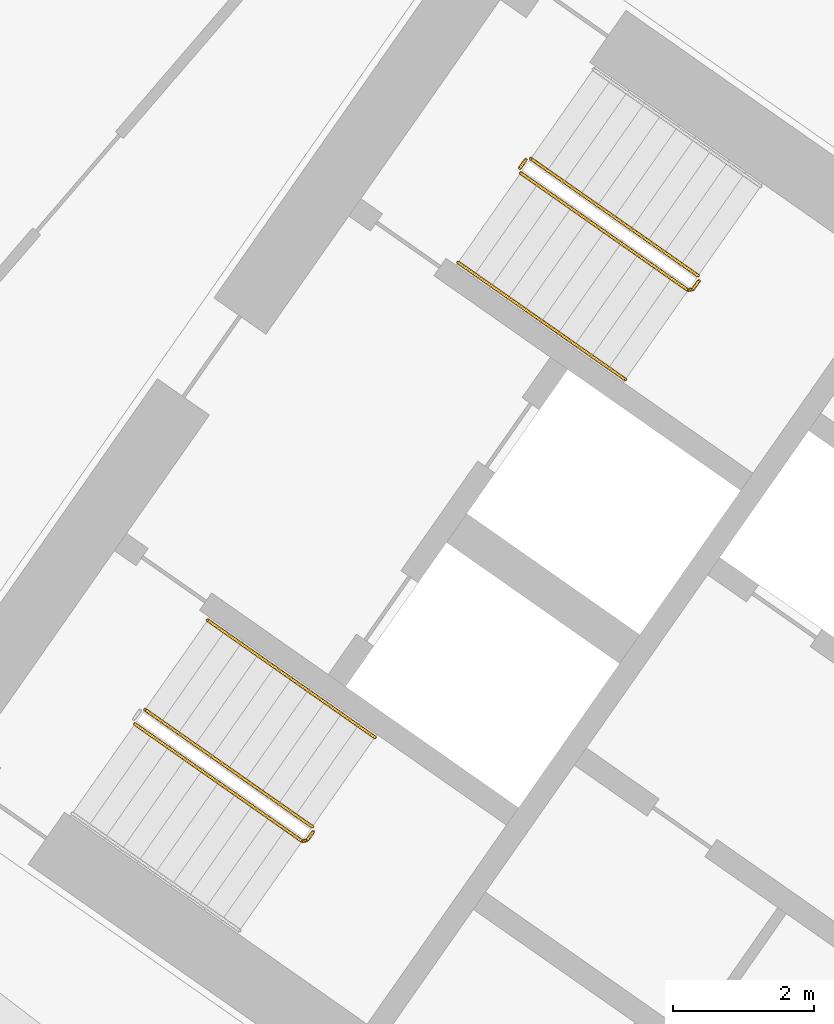
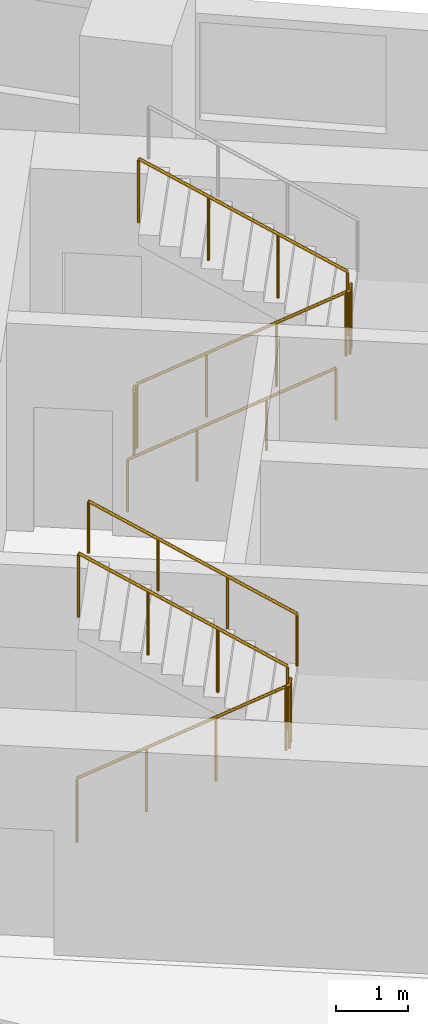
# One storey, part 26 of 31: 7 railings.
"""IFC4 building model written with IfcOpenShell, lengths in metres."""

import ifcopenshell
import ifcopenshell.guid

model = None  # the IFC model being written
_history = None  # IfcOwnerHistory: only IFC2X3 demands one
_inside = {}  # id of a spatial element -> (the spatial element, [elements in it])
_under = {}  # id of a project, library or spatial element -> (it, [spatial elements below it])
_declared = {}  # id of a project -> (the project, [libraries it declares])
_typed = {}  # id of a type object -> (the type object, [elements of that type])
_made_of = {}  # id of a material, layer set ... -> (it, [elements and type objects made of it])


def new_model(schema):
    """Start an empty IFC model of exactly this schema.

    Asked for "IFC4X3", IfcOpenShell would pick the latest addendum, in which some entities
    have other attributes; the version numbers below select the first issue.
    IFC2X3 requires an IfcOwnerHistory on every rooted entity: one is made here for all.
    """
    global model, _history
    if schema == "IFC4X3":
        model = ifcopenshell.file(schema_version=(4, 3, 0, 0))
    else:
        model = ifcopenshell.file(schema=schema)
    _inside.clear()
    _under.clear()
    _declared.clear()
    _typed.clear()
    _made_of.clear()
    _history = None
    if model.schema == "IFC2X3":
        org = make("IfcOrganization", Name="unknown")
        user = make(
            "IfcPersonAndOrganization",
            ThePerson=make("IfcPerson", FamilyName="unknown"),
            TheOrganization=org,
        )
        app = make(
            "IfcApplication",
            ApplicationDeveloper=org,
            Version="unknown",
            ApplicationFullName="unknown",
            ApplicationIdentifier="unknown",
        )
        _history = make(
            "IfcOwnerHistory",
            OwningUser=user,
            OwningApplication=app,
            ChangeAction="ADDED",
            CreationDate=0,
        )
    return model


def make(cls, **values):
    """One entity of the class cls with the attributes given. An attribute that is None is left unset."""
    return model.create_entity(
        cls, **{name: value for name, value in values.items() if value is not None}
    )


def rooted(cls, **values):
    """An entity with a GlobalId (a new one), such as an element, a storey or a relation."""
    return make(cls, GlobalId=ifcopenshell.guid.new(), OwnerHistory=_history, **values)


def si_unit(unit_type, name, prefix=None):
    """IfcSIUnit, for example si_unit("LENGTHUNIT", "METRE", prefix="MILLI")."""
    return make("IfcSIUnit", UnitType=unit_type, Prefix=prefix, Name=name)


def assignment(units):
    """IfcUnitAssignment: the units of a project."""
    return None if units is None else make("IfcUnitAssignment", Units=units)


def point(xyz):
    """IfcCartesianPoint."""
    return None if xyz is None else make("IfcCartesianPoint", Coordinates=xyz)


def direction(xyz):
    """IfcDirection."""
    return None if xyz is None else make("IfcDirection", DirectionRatios=xyz)


def frame(location, z_axis=None, x_axis=None):
    """IfcAxis2Placement3D, a coordinate frame: its origin and axes. An axis left out is left unset."""
    return make(
        "IfcAxis2Placement3D",
        Location=point(location),
        Axis=direction(z_axis),
        RefDirection=direction(x_axis),
    )


def frame_2d(location, x_axis=None):
    """IfcAxis2Placement2D, a coordinate frame in the plane: its origin and x axis."""
    return make(
        "IfcAxis2Placement2D", Location=point(location), RefDirection=direction(x_axis)
    )


def origin():
    """The frame at (0, 0, 0) with its axes left unset."""
    return frame((0.0, 0.0, 0.0))


def origin_2d():
    """The frame at (0, 0) in the plane with its x axis left unset."""
    return frame_2d((0.0, 0.0))


def place(relative_to, where):
    """IfcLocalPlacement: puts the frame where relative to a parent placement (None: the world)."""
    return make(
        "IfcLocalPlacement", PlacementRelTo=relative_to, RelativePlacement=where
    )


def context(
    kind, dimensions, precision=None, world=None, true_north=None, identifier=None
):
    """IfcGeometricRepresentationContext, for example the 3D "Model" context."""
    return make(
        "IfcGeometricRepresentationContext",
        ContextIdentifier=identifier,
        ContextType=kind,
        CoordinateSpaceDimension=dimensions,
        Precision=precision,
        WorldCoordinateSystem=world,
        TrueNorth=true_north,
    )


def subcontext(parent, identifier, kind, view, scale=None):
    """IfcGeometricRepresentationSubContext, for example "Body" below "Model"."""
    return make(
        "IfcGeometricRepresentationSubContext",
        ContextIdentifier=identifier,
        ContextType=kind,
        ParentContext=parent,
        TargetScale=scale,
        TargetView=view,
    )


def project(units=None, contexts=None):
    """IfcProject with its units and contexts."""
    return rooted(
        "IfcProject",
        Name="project",
        RepresentationContexts=contexts,
        UnitsInContext=assignment(units),
    )


def spatial(cls, under=None, at=None, **own):
    """A site, building, storey or space (cls), placed at a placement, below another one or the project."""
    s = rooted(cls, ObjectPlacement=at, **own)
    if under is not None:
        _under.setdefault(under.id(), (under, []))[1].append(s)
    return s


def profile(cls, at=None, kind="AREA", **sizes):
    """A parametric profile (cls). Its sizes go by their IFC names, for example OverallWidth=200.0."""
    return make(cls, ProfileType=kind, Position=at, **sizes)


def circle(**sizes):
    """IfcCircleProfileDef."""
    return profile("IfcCircleProfileDef", **sizes)


def extrude(swept, where, along, depth):
    """IfcExtrudedAreaSolid: the profile swept, set in the frame where, extruded along a direction by depth."""
    return make(
        "IfcExtrudedAreaSolid",
        SweptArea=swept,
        Position=where,
        ExtrudedDirection=direction(along),
        Depth=depth,
    )


def shape(context_of_items, identifier, shape_type, items):
    """IfcShapeRepresentation: the items that make up one representation, for example the "Body"."""
    return make(
        "IfcShapeRepresentation",
        ContextOfItems=context_of_items,
        RepresentationIdentifier=identifier,
        RepresentationType=shape_type,
        Items=items,
    )


def material(Name=None, Category=None):
    """IfcMaterial."""
    return make("IfcMaterial", Name=Name, Category=Category)


def made_of(thing, what):
    """Note that an element or type object is made of a material, layer set ...; save() writes the relation."""
    if what is not None:
        _made_of.setdefault(what.id(), (what, []))[1].append(thing)
    return thing


def type_object(cls, material=None, **own):
    """A type object (cls), such as IfcWallType, which elements share."""
    return made_of(rooted(cls, **own), material)


def element(
    cls,
    number,
    at=None,
    inside=None,
    cuts=None,
    type_object=None,
    material=None,
    context=None,
    identifier="Body",
    shape_type=None,
    held_by="IfcProductDefinitionShape",
    body=None,
    shapes=None,
    **own,
):
    """One element of the class cls, such as IfcWall. Its Tag is "e" and its number.

    at: its placement. inside: the storey or other place that contains it. cuts: it is an
    opening in that element (IfcRelVoidsElement). A single representation is given by context,
    identifier, shape_type and body (its items); several are given by shapes. held_by: the class
    of the entity that holds the representations. save() writes the other relations.
    """
    e = rooted(cls, Tag="e%d" % number, ObjectPlacement=at, **own)
    if body is not None:
        shapes = [shape(context, identifier, shape_type, body)]
    if shapes is not None:
        e.Representation = make(held_by, Representations=shapes)
    if inside is not None:
        _inside.setdefault(inside.id(), (inside, []))[1].append(e)
    if cuts is not None:
        rooted(
            "IfcRelVoidsElement", RelatingBuildingElement=cuts, RelatedOpeningElement=e
        )
    if type_object is not None:
        _typed.setdefault(type_object.id(), (type_object, []))[1].append(e)
    return made_of(e, material)


def aggregate(whole, parts):
    """IfcRelAggregates: a whole, such as a stair, and the parts it consists of."""
    return rooted("IfcRelAggregates", RelatingObject=whole, RelatedObjects=parts)


def save(model, path):
    """Write the relations noted so far, then the file.

    IfcRelAggregates (storeys below a building ...), IfcRelContainedInSpatialStructure (elements
    in a storey), IfcRelDefinesByType, IfcRelAssociatesMaterial and IfcRelDeclares: one each for
    every whole, place, type object, material and project.
    """
    for whole, parts in _under.values():
        aggregate(whole, parts)
    for where, things in _inside.values():
        rooted(
            "IfcRelContainedInSpatialStructure",
            RelatedElements=things,
            RelatingStructure=where,
        )
    for kind, things in _typed.values():
        rooted("IfcRelDefinesByType", RelatedObjects=things, RelatingType=kind)
    for what, things in _made_of.values():
        rooted("IfcRelAssociatesMaterial", RelatedObjects=things, RelatingMaterial=what)
    for by, libraries in _declared.values():
        rooted("IfcRelDeclares", RelatingContext=by, RelatedDefinitions=libraries)
    model.write(path)


model = new_model("IFC4")

# Units and contexts
model_context = context("Model", 3, precision=1e-05, world=origin(), true_north=direction((0.0, 1.0)))
body_context = subcontext(model_context, "Body", "Model", "MODEL_VIEW")
ifc_project = project(units=[si_unit("LENGTHUNIT", "METRE"), si_unit("AREAUNIT", "SQUARE_METRE"), si_unit("VOLUMEUNIT", "CUBIC_METRE"), si_unit("PLANEANGLEUNIT", "RADIAN"), si_unit("MASSUNIT", "GRAM", prefix="KILO")], contexts=[model_context])

# Site, building, storey
site_placement = place(None, origin())
site = spatial("IfcSite", under=ifc_project, at=site_placement, CompositionType="ELEMENT")
building_placement = place(site_placement, origin())
building = spatial("IfcBuilding", under=site, at=building_placement, Name="Qamariyya Broadcast Tower", CompositionType="ELEMENT")
storey_placement = place(building_placement, frame((0.0, 0.0, 74.699951171875)))
storey = spatial("IfcBuildingStorey", under=building, at=storey_placement, Name="L15", CompositionType="ELEMENT", Elevation=74.699951171875)

# Railings
ifc_material_1 = material(Name="Painted steel", Category="steel")
railing_type_1 = type_object("IfcRailingType", Name="Stair guard", PredefinedType="GUARDRAIL", material=ifc_material_1)
railing_1_placement = place(storey_placement, frame((-41.146728515625, -48.52490234375, 0.1728515625)))
element("IfcRailing", 1, at=railing_1_placement, inside=storey, type_object=railing_type_1, Name="L15 ST-W2 stair guard 1", PredefinedType="GUARDRAIL", context=body_context, shape_type="SweptSolid", body=[
    extrude(circle(Radius=0.02392578125, at=origin_2d()), frame((0.0, 0.0, 1.076171875), z_axis=(0.703770094002, -0.492783725636, 0.511734163933), x_axis=(0.573575343427, 0.819152809562, 0.0)), (0.0, 0.0, 1.0), 3.37548828125),
    extrude(circle(Radius=0.02392578125, at=origin_2d()), frame((2.37548828125, -1.663330078125, 2.80322265625), z_axis=(0.985059694769, 0.172213233351, 0.0), x_axis=(-0.172213233351, 0.985059694769, 0.0)), (0.0, 0.0, 1.0), 0.07080078125),
    extrude(circle(Radius=0.02392578125, at=origin_2d()), frame((2.4453125, -1.651123046875, 2.80322265625), z_axis=(0.572588637393, 0.819842821722, 0.0), x_axis=(-0.819842821722, 0.572588637393, 0.0)), (0.0, 0.0, 1.0), 0.150146484375),
    extrude(circle(Radius=0.02099609375, at=origin_2d()), origin(), (0.0, 0.0, 1.0), 1.052001953125),
    extrude(circle(Radius=0.02099609375, at=origin_2d()), frame((0.791748046875, -0.554443359375, 0.57568359375)), (0.0, 0.0, 1.0), 1.052001953125),
    extrude(circle(Radius=0.02099609375, at=origin_2d()), frame((1.583740234375, -1.10888671875, 1.151611328125)), (0.0, 0.0, 1.0), 1.052001953125),
    extrude(circle(Radius=0.02099609375, at=origin_2d()), frame((2.37548828125, -1.663330078125, 1.727294921875)), (0.0, 0.0, 1.0), 1.052001953125),
    extrude(circle(Radius=0.02099609375, at=origin_2d()), frame((2.4453125, -1.651123046875, 1.727294921875)), (0.0, 0.0, 1.0), 1.052001953125),
    extrude(circle(Radius=0.02099609375, at=origin_2d()), frame((2.53125, -1.528076171875, 1.727294921875)), (0.0, 0.0, 1.0), 1.052001953125),
])
railing_2_placement = place(storey_placement, frame((-38.627685546875, -49.9833984375, 2.07275390625)))
element("IfcRailing", 2, at=railing_2_placement, inside=storey, type_object=railing_type_1, Name="L15 ST-W2 stair guard 2", PredefinedType="GUARDRAIL", context=body_context, shape_type="SweptSolid", body=[
    extrude(circle(Radius=0.02392578125, at=origin_2d()), frame((0.0, 0.0, 1.076171875), z_axis=(-0.703770094002, 0.492783725636, 0.511734163933), x_axis=(-0.573575343427, -0.819152809562, 0.0)), (0.0, 0.0, 1.0), 3.37548828125),
    extrude(circle(Radius=0.02099609375, at=origin_2d()), origin(), (0.0, 0.0, 1.0), 1.052001953125),
    extrude(circle(Radius=0.02099609375, at=origin_2d()), frame((-0.791748046875, 0.554443359375, 0.57568359375)), (0.0, 0.0, 1.0), 1.052001953125),
    extrude(circle(Radius=0.02099609375, at=origin_2d()), frame((-1.583740234375, 1.10888671875, 1.151611328125)), (0.0, 0.0, 1.0), 1.052001953125),
    extrude(circle(Radius=0.02099609375, at=origin_2d()), frame((-2.37548828125, 1.663330078125, 1.727294921875)), (0.0, 0.0, 1.0), 1.052001953125),
])
railing_3_placement = place(storey_placement, frame((-41.158935546875, -48.455322265625, 0.0)))
element("IfcRailing", 3, at=railing_3_placement, inside=storey, type_object=railing_type_1, Name="L15 ST-W2 stair guard 3", PredefinedType="GUARDRAIL", context=body_context, shape_type="SweptSolid", body=[
    extrude(circle(Radius=0.02392578125, at=origin_2d()), frame((0.0, 0.0, 1.076171875), z_axis=(0.572588637393, 0.819842821722, 0.0), x_axis=(-0.819842821722, 0.572588637393, 0.0)), (0.0, 0.0, 1.0), 0.150146484375),
    extrude(circle(Radius=0.02099609375, at=origin_2d()), origin(), (0.0, 0.0, 1.0), 1.052001953125),
    extrude(circle(Radius=0.02099609375, at=origin_2d()), frame((0.0859375, 0.123046875, 0.0)), (0.0, 0.0, 1.0), 1.052001953125),
])
railing_4_placement = place(storey_placement, frame((-46.624267578125, -56.34765625, 0.1728515625)))
element("IfcRailing", 4, at=railing_4_placement, inside=storey, type_object=railing_type_1, Name="L15 ST-W1 stair guard 1", PredefinedType="GUARDRAIL", context=body_context, shape_type="SweptSolid", body=[
    extrude(circle(Radius=0.02392578125, at=origin_2d()), frame((0.0, 0.0, 1.076171875), z_axis=(0.703745009021, -0.492838488332, 0.511715923826), x_axis=(0.573631830683, 0.819113253969, 0.0)), (0.0, 0.0, 1.0), 3.37548828125),
    extrude(circle(Radius=0.02392578125, at=origin_2d()), frame((2.37548828125, -1.66357421875, 2.80322265625), z_axis=(0.984363469884, 0.176149252506, 0.0), x_axis=(-0.176149252506, 0.984363469884, 0.0)), (0.0, 0.0, 1.0), 0.07080078125),
    extrude(circle(Radius=0.02392578125, at=origin_2d()), frame((2.445068359375, -1.651123046875, 2.80322265625), z_axis=(0.574444878118, 0.818543268254, 0.0), x_axis=(-0.818543268254, 0.574444878118, 0.0)), (0.0, 0.0, 1.0), 0.150146484375),
    extrude(circle(Radius=0.02099609375, at=origin_2d()), origin(), (0.0, 0.0, 1.0), 1.052001953125),
    extrude(circle(Radius=0.02099609375, at=origin_2d()), frame((0.791748046875, -0.554443359375, 0.57568359375)), (0.0, 0.0, 1.0), 1.052001953125),
    extrude(circle(Radius=0.02099609375, at=origin_2d()), frame((1.583740234375, -1.109130859375, 1.151611328125)), (0.0, 0.0, 1.0), 1.052001953125),
    extrude(circle(Radius=0.02099609375, at=origin_2d()), frame((2.37548828125, -1.66357421875, 1.727294921875)), (0.0, 0.0, 1.0), 1.052001953125),
    extrude(circle(Radius=0.02099609375, at=origin_2d()), frame((2.445068359375, -1.651123046875, 1.727294921875)), (0.0, 0.0, 1.0), 1.052001953125),
    extrude(circle(Radius=0.02099609375, at=origin_2d()), frame((2.53125, -1.5283203125, 1.727294921875)), (0.0, 0.0, 1.0), 1.052001953125),
])
railing_5_placement = place(storey_placement, frame((-44.10546875, -57.806396484375, 2.07275390625)))
element("IfcRailing", 5, at=railing_5_placement, inside=storey, type_object=railing_type_1, Name="L15 ST-W1 stair guard 2", PredefinedType="GUARDRAIL", context=body_context, shape_type="SweptSolid", body=[
    extrude(circle(Radius=0.02392578125, at=origin_2d()), frame((0.0, 0.0, 1.076171875), z_axis=(-0.703770094002, 0.492783725636, 0.511734163933), x_axis=(-0.573575343427, -0.819152809562, 0.0)), (0.0, 0.0, 1.0), 3.37548828125),
    extrude(circle(Radius=0.02099609375, at=origin_2d()), origin(), (0.0, 0.0, 1.0), 1.052001953125),
    extrude(circle(Radius=0.02099609375, at=origin_2d()), frame((-0.791748046875, 0.554443359375, 0.57568359375)), (0.0, 0.0, 1.0), 1.052001953125),
    extrude(circle(Radius=0.02099609375, at=origin_2d()), frame((-1.583740234375, 1.10888671875, 1.151611328125)), (0.0, 0.0, 1.0), 1.052001953125),
    extrude(circle(Radius=0.02099609375, at=origin_2d()), frame((-2.37548828125, 1.663330078125, 1.727294921875)), (0.0, 0.0, 1.0), 1.052001953125),
])
ifc_material_2 = material(Name="Stainless steel", Category="steel")
railing_type_2 = type_object("IfcRailingType", Name="Stair handrail", PredefinedType="HANDRAIL", material=ifc_material_2)
railing_6_placement = place(storey_placement, frame((-42.03564453125, -49.79443359375, 0.1728515625)))
element("IfcRailing", 6, at=railing_6_placement, inside=storey, type_object=railing_type_2, Name="L15 ST-W2 stair handrail 1", PredefinedType="HANDRAIL", context=body_context, shape_type="SweptSolid", body=[
    extrude(circle(Radius=0.02392578125, at=origin_2d()), frame((0.0, 0.0, 0.8759765625), z_axis=(0.703745009021, -0.492838488332, 0.511715923826), x_axis=(0.573631830683, 0.819113253969, 0.0)), (0.0, 0.0, 1.0), 3.37548828125),
    extrude(circle(Radius=0.02099609375, at=origin_2d()), origin(), (0.0, 0.0, 1.0), 0.851806640625),
    extrude(circle(Radius=0.02099609375, at=origin_2d()), frame((0.791748046875, -0.554443359375, 0.57568359375)), (0.0, 0.0, 1.0), 0.851806640625),
    extrude(circle(Radius=0.02099609375, at=origin_2d()), frame((1.583740234375, -1.109130859375, 1.151611328125)), (0.0, 0.0, 1.0), 0.851806640625),
    extrude(circle(Radius=0.02099609375, at=origin_2d()), frame((2.37548828125, -1.66357421875, 1.727294921875)), (0.0, 0.0, 1.0), 0.851806640625),
])
railing_7_placement = place(storey_placement, frame((-43.21630859375, -56.53662109375, 2.07275390625)))
element("IfcRailing", 7, at=railing_7_placement, inside=storey, type_object=railing_type_2, Name="L15 ST-W1 stair handrail 2", PredefinedType="HANDRAIL", context=body_context, shape_type="SweptSolid", body=[
    extrude(circle(Radius=0.02392578125, at=origin_2d()), frame((0.0, 0.0, 0.8759765625), z_axis=(-0.703770094002, 0.492783725636, 0.511734163933), x_axis=(-0.573575343427, -0.819152809562, 0.0)), (0.0, 0.0, 1.0), 3.37548828125),
    extrude(circle(Radius=0.02099609375, at=origin_2d()), origin(), (0.0, 0.0, 1.0), 0.851806640625),
    extrude(circle(Radius=0.02099609375, at=origin_2d()), frame((-0.791748046875, 0.554443359375, 0.57568359375)), (0.0, 0.0, 1.0), 0.851806640625),
    extrude(circle(Radius=0.02099609375, at=origin_2d()), frame((-1.583740234375, 1.10888671875, 1.151611328125)), (0.0, 0.0, 1.0), 0.851806640625),
    extrude(circle(Radius=0.02099609375, at=origin_2d()), frame((-2.37548828125, 1.663330078125, 1.727294921875)), (0.0, 0.0, 1.0), 0.851806640625),
])

save(model, "model.ifc")
